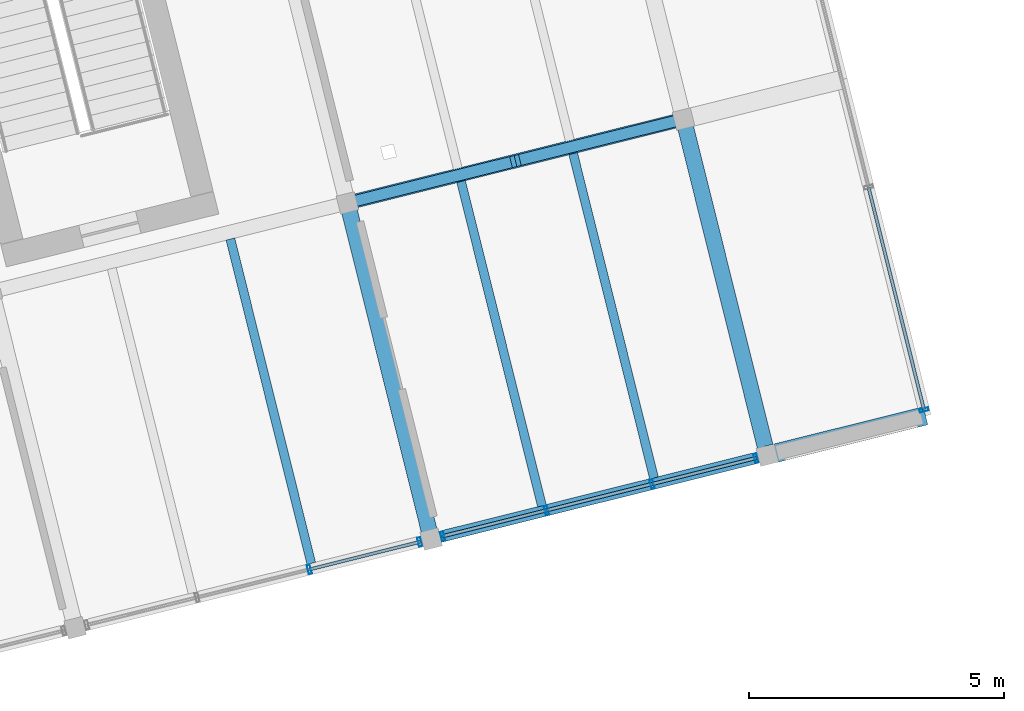
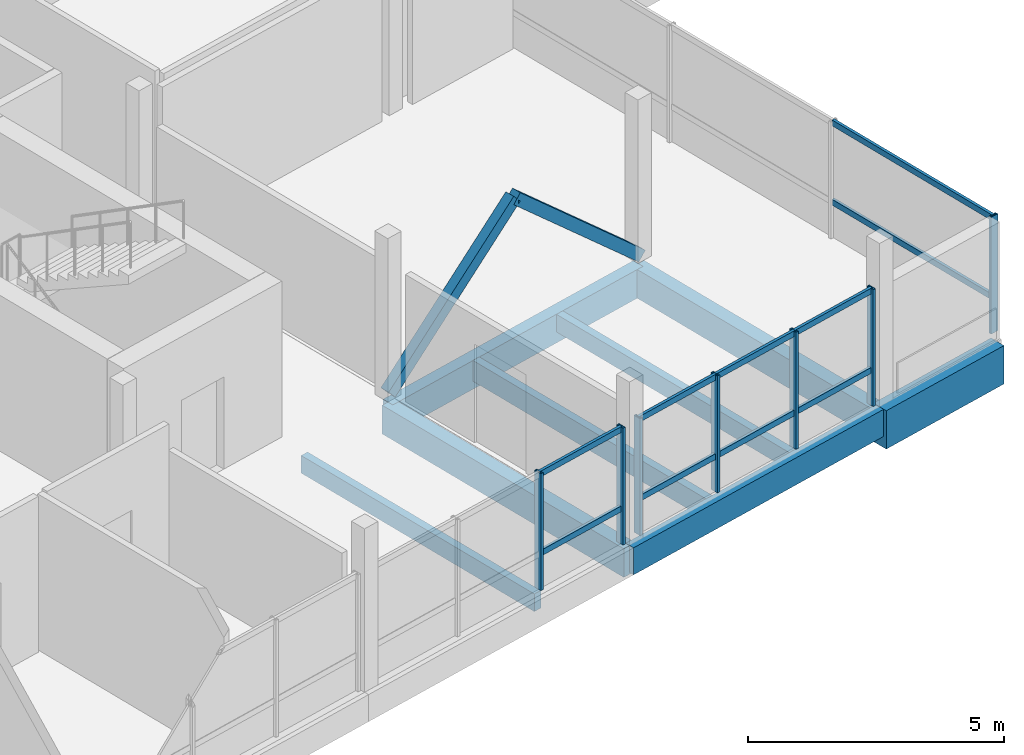
# One storey, part 11 of 28: 19 members, 8 beams, 3 elements without a shape of their own.
"""IFC4 building model written with IfcOpenShell, lengths in metres."""

from ifc_helpers import new_model, si_unit, direction, frame, origin, origin_2d, place, context, subcontext, project, spatial, rectangle, hollow_rectangle, extrude, material, layer, layer_set, material_profile, profile_set, type_object, element, aggregate, save


model = new_model("IFC4")

# Units and contexts
model_context = context("Model", 3, precision=1e-05, world=origin(), true_north=direction((0.0, 1.0)))
body_context = subcontext(model_context, "Body", "Model", "MODEL_VIEW")
ifc_project = project(units=[si_unit("LENGTHUNIT", "METRE"), si_unit("AREAUNIT", "SQUARE_METRE"), si_unit("VOLUMEUNIT", "CUBIC_METRE"), si_unit("PLANEANGLEUNIT", "RADIAN"), si_unit("MASSUNIT", "GRAM", prefix="KILO")], contexts=[model_context])

# Site, building, storey
site_placement = place(None, origin())
site = spatial("IfcSite", under=ifc_project, at=site_placement, CompositionType="ELEMENT")
building_placement = place(site_placement, origin())
building = spatial("IfcBuilding", under=site, at=building_placement, Name="Meriwether Solvik Hall", CompositionType="ELEMENT")
storey_placement = place(building_placement, frame((0.0, 0.0, 37.800048828125)))
storey = spatial("IfcBuildingStorey", under=building, at=storey_placement, Name="L09", CompositionType="ELEMENT", Elevation=37.800048828125)

# Beams
ifc_material_1 = material(Name="Glulam Douglas-Fir 24F-V8 GL28h", Category="wood")
ifc_material_profile_1 = material_profile(ifc_material_1, rectangle(XDim=0.221923828125, YDim=0.64501953125, at=origin_2d()), Name="GLB-222X645")
ifc_profile_set_1 = profile_set([ifc_material_profile_1], Name="Glulam Douglas-Fir 24F-V8 GL28h")
beam_type_1 = type_object("IfcBeamType", Name="BM-GL-222X645", PredefinedType="SPANDREL", material=ifc_profile_set_1)
beam_1_placement = place(storey_placement, frame((96.9326171875, 48.26416015625, -0.50244140625), z_axis=(0.970298579828, 0.24191045034, 0.0), x_axis=(-0.24191045034, 0.970298579828, 0.0)))
element("IfcBeam", 1, at=beam_1_placement, inside=storey, type_object=beam_type_1, Name="Tower Girder TA:T5-T6 (L09)", PredefinedType="SPANDREL", context=body_context, shape_type="SweptSolid", body=[
    extrude(rectangle(XDim=0.221923828125, YDim=0.64501953125, at=origin_2d()), origin(), (0.0, 0.0, 1.0), 6.800048828125),
])
ifc_material_2 = material(Name="Glulam Douglas-Fir 24F-V8 GL28h", Category="wood")
ifc_material_profile_2 = material_profile(ifc_material_2, rectangle(XDim=0.27294921875, YDim=0.68505859375, at=origin_2d()), Name="GLB-273X685")
ifc_profile_set_2 = profile_set([ifc_material_profile_2], Name="Glulam Douglas-Fir 24F-V8 GL28h")
beam_type_2 = type_object("IfcBeamType", Name="BM-GL-273X685", PredefinedType="BEAM", material=ifc_profile_set_2)
beam_2_placement = place(storey_placement, frame((95.28759765625, 54.862060546875, -0.5224609375), z_axis=(0.970296478685, 0.241918877831, 0.0), x_axis=(-0.241918877831, 0.970296478685, 0.0)))
element("IfcBeam", 2, at=beam_2_placement, inside=storey, type_object=beam_type_2, Name="Tower Girder TB:T5-T6 (L09)", PredefinedType="BEAM", context=body_context, shape_type="SweptSolid", body=[
    extrude(rectangle(XDim=0.27294921875, YDim=0.68505859375, at=origin_2d()), origin(), (0.0, 0.0, 1.0), 6.7998046875),
])
ifc_material_3 = material(Name="Glulam Douglas-Fir 24F-V8 GL28h", Category="wood")
ifc_material_profile_3 = material_profile(ifc_material_3, rectangle(XDim=0.31494140625, YDim=0.68505859375, at=origin_2d()), Name="GLB-315X685")
ifc_profile_set_3 = profile_set([ifc_material_profile_3], Name="Glulam Douglas-Fir 24F-V8 GL28h")
beam_type_3 = type_object("IfcBeamType", Name="BM-GL-315X685", PredefinedType="BEAM", material=ifc_profile_set_3)
beam_3_placement = place(storey_placement, frame((96.9326171875, 48.26416015625, -0.5224609375), z_axis=(-0.241918877831, 0.970296478685, 0.0), x_axis=(-0.970296478685, -0.241918877831, 0.0)))
element("IfcBeam", 3, at=beam_3_placement, inside=storey, type_object=beam_type_3, Name="Tower Girder T5:TA-TB (L09)", PredefinedType="BEAM", context=body_context, shape_type="SweptSolid", body=[
    extrude(rectangle(XDim=0.31494140625, YDim=0.68505859375, at=origin_2d()), origin(), (0.0, 0.0, 1.0), 6.7998046875),
])
beam_4_placement = place(storey_placement, frame((103.53076171875, 49.9091796875, -0.5224609375), z_axis=(-0.2419526798, 0.970288050394, 0.0), x_axis=(-0.970288050394, -0.2419526798, 0.0)))
element("IfcBeam", 4, at=beam_4_placement, inside=storey, type_object=beam_type_3, Name="Tower Girder T6:TA-TB (L09)", PredefinedType="BEAM", context=body_context, shape_type="SweptSolid", body=[
    extrude(rectangle(XDim=0.31494140625, YDim=0.68505859375, at=origin_2d()), origin(), (0.0, 0.0, 1.0), 6.800048828125),
])

# Curtain wall, members
ifc_material_4 = material(Name="Thermally Broken Anodised Aluminium 6063-T6 and Low-E Glass", Category="aluminium")
ifc_layer_1 = layer(ifc_material_4, 0.179931640625)
ifc_layer_set_1 = layer_set([ifc_layer_1], Name="Thermally Broken Anodised Aluminium 6063-T6 and Low-E Glass")
curtain_wall_type_1 = type_object("IfcCurtainWallType", Name="CW-UNIT-C", PredefinedType="USERDEFINED", material=ifc_layer_set_1)
curtain_wall_1_placement = place(storey_placement, origin())
curtain_wall_1 = element("IfcCurtainWall", 5, at=curtain_wall_1_placement, inside=storey, type_object=curtain_wall_type_1, Name="Curtain Wall E0_B3 (L09)", ObjectType="UNITISED CURTAIN WALL", PredefinedType="USERDEFINED")
ifc_material_5 = material(Name="Anodised Aluminium 6063-T6", Category="aluminium")
ifc_material_profile_4 = material_profile(ifc_material_5, hollow_rectangle(XDim=0.06494140625, YDim=0.179931640625, WallThickness=0.00439453125, at=origin_2d()), Name="CWM-65X180")
ifc_profile_set_4 = profile_set([ifc_material_profile_4], Name="Anodised Aluminium 6063-T6")
member_type_1 = type_object("IfcMemberType", Name="CW-MUL-65X180", PredefinedType="MULLION", material=ifc_profile_set_4)
member_1_placement = place(storey_placement, frame((96.70703125, 48.207763671875, 0.0), z_axis=(0.0, 0.0, 1.0), x_axis=(-0.97029573429, -0.241921863457, 0.0)))
member_1 = element("IfcMember", 6, at=member_1_placement, type_object=member_type_1, Name="Curtain Wall Mullion 1", PredefinedType="MULLION", context=body_context, shape_type="SweptSolid", body=[
    extrude(hollow_rectangle(XDim=0.06494140625, YDim=0.179931640625, WallThickness=0.00439453125, at=origin_2d()), origin(), (0.0, 0.0, 1.0), 2.7900390625),
])
member_2_placement = place(storey_placement, frame((94.541015625, 47.667724609375, 0.0), z_axis=(0.0, 0.0, 1.0), x_axis=(-0.97029573429, -0.241921863457, 0.0)))
member_2 = element("IfcMember", 7, at=member_2_placement, type_object=member_type_1, Name="Curtain Wall Mullion 2", PredefinedType="MULLION", context=body_context, shape_type="SweptSolid", body=[
    extrude(hollow_rectangle(XDim=0.06494140625, YDim=0.179931640625, WallThickness=0.00439453125, at=origin_2d()), origin(), (0.0, 0.0, 1.0), 2.7900390625),
])

ifc_material_6 = material(Name="Thermally Broken Anodised Aluminium 6063-T6 and Low-E Glass", Category="aluminium")
ifc_layer_2 = layer(ifc_material_6, 0.179931640625)
ifc_layer_set_2 = layer_set([ifc_layer_2], Name="Thermally Broken Anodised Aluminium 6063-T6 and Low-E Glass")
curtain_wall_type_2 = type_object("IfcCurtainWallType", Name="CW-UNIT-D", PredefinedType="USERDEFINED", material=ifc_layer_set_2)
curtain_wall_2_placement = place(storey_placement, origin())
curtain_wall_2 = element("IfcCurtainWall", 8, at=curtain_wall_2_placement, inside=storey, type_object=curtain_wall_type_2, Name="Curtain Wall E0_B4 (L09)", ObjectType="UNITISED CURTAIN WALL", PredefinedType="USERDEFINED")
member_3_placement = place(storey_placement, frame((103.304931640625, 49.85302734375, 0.0), z_axis=(0.0, 0.0, 1.0), x_axis=(-0.970295737161, -0.241921851942, 0.0)))
member_3 = element("IfcMember", 9, at=member_3_placement, type_object=member_type_1, Name="Curtain Wall Mullion 1", PredefinedType="MULLION", context=body_context, shape_type="SweptSolid", body=[
    extrude(hollow_rectangle(XDim=0.06494140625, YDim=0.179931640625, WallThickness=0.00439453125, at=origin_2d()), origin(), (0.0, 0.0, 1.0), 2.7900390625),
])
member_4_placement = place(storey_placement, frame((101.268310546875, 49.34521484375, 0.0), z_axis=(0.0, 0.0, 1.0), x_axis=(-0.970295737161, -0.241921851942, 0.0)))
member_4 = element("IfcMember", 10, at=member_4_placement, type_object=member_type_1, Name="Curtain Wall Mullion 2", PredefinedType="MULLION", context=body_context, shape_type="SweptSolid", body=[
    extrude(hollow_rectangle(XDim=0.06494140625, YDim=0.179931640625, WallThickness=0.00439453125, at=origin_2d()), origin(), (0.0, 0.0, 1.0), 2.7900390625),
])
member_5_placement = place(storey_placement, frame((99.19482421875, 48.828125, 0.0), z_axis=(0.0, 0.0, 1.0), x_axis=(-0.970295737161, -0.241921851942, 0.0)))
member_5 = element("IfcMember", 11, at=member_5_placement, type_object=member_type_1, Name="Curtain Wall Mullion 3", PredefinedType="MULLION", context=body_context, shape_type="SweptSolid", body=[
    extrude(hollow_rectangle(XDim=0.06494140625, YDim=0.179931640625, WallThickness=0.00439453125, at=origin_2d()), origin(), (0.0, 0.0, 1.0), 2.7900390625),
])
member_6_placement = place(storey_placement, frame((97.158203125, 48.3203125, 0.0), z_axis=(0.0, 0.0, 1.0), x_axis=(-0.970295737161, -0.241921851942, 0.0)))
member_6 = element("IfcMember", 12, at=member_6_placement, type_object=member_type_1, Name="Curtain Wall Mullion 4", PredefinedType="MULLION", context=body_context, shape_type="SweptSolid", body=[
    extrude(hollow_rectangle(XDim=0.06494140625, YDim=0.179931640625, WallThickness=0.00439453125, at=origin_2d()), origin(), (0.0, 0.0, 1.0), 2.7900390625),
])

# Curtain wall, member
ifc_material_7 = material(Name="Thermally Broken Anodised Aluminium 6063-T6 and Low-E Glass", Category="aluminium")
ifc_layer_3 = layer(ifc_material_7, 0.179931640625)
ifc_layer_set_3 = layer_set([ifc_layer_3], Name="Thermally Broken Anodised Aluminium 6063-T6 and Low-E Glass")
curtain_wall_type_3 = type_object("IfcCurtainWallType", Name="CW-UNIT-A", PredefinedType="USERDEFINED", material=ifc_layer_set_3)
curtain_wall_3_placement = place(storey_placement, origin())
curtain_wall_3 = element("IfcCurtainWall", 13, at=curtain_wall_3_placement, inside=storey, type_object=curtain_wall_type_3, Name="Curtain Wall E1_B0 (L09)", ObjectType="UNITISED CURTAIN WALL", PredefinedType="USERDEFINED")
member_7_placement = place(storey_placement, frame((106.60693359375, 50.7978515625, 0.0), z_axis=(0.0, 0.0, 1.0), x_axis=(0.241921914296, -0.970295721615, 0.0)))
member_7 = element("IfcMember", 14, at=member_7_placement, type_object=member_type_1, Name="Curtain Wall Mullion 4", PredefinedType="MULLION", context=body_context, shape_type="SweptSolid", body=[
    extrude(hollow_rectangle(XDim=0.06494140625, YDim=0.179931640625, WallThickness=0.00439453125, at=origin_2d()), origin(), (0.0, 0.0, 1.0), 2.7900390625),
])

# Member
ifc_material_8 = material(Name="Anodised Aluminium 6063-T6", Category="aluminium")
ifc_material_profile_5 = material_profile(ifc_material_8, hollow_rectangle(XDim=0.06494140625, YDim=0.139892578125, WallThickness=0.00439453125, at=origin_2d()), Name="CWT-65X140")
ifc_profile_set_5 = profile_set([ifc_material_profile_5], Name="Anodised Aluminium 6063-T6")
member_type_2 = type_object("IfcMemberType", Name="CW-TRN-65X140", PredefinedType="USERDEFINED", material=ifc_profile_set_5)
member_8_placement = place(storey_placement, frame((96.70703125, 48.207763671875, 0.8369140625), z_axis=(-0.970296702868, -0.241917978668, 0.0), x_axis=(0.241917978668, -0.970296702868, 0.0)))
member_8 = element("IfcMember", 15, at=member_8_placement, type_object=member_type_2, Name="Curtain Wall Transom 1-sill", ObjectType="TRANSOM", PredefinedType="USERDEFINED", context=body_context, shape_type="SweptSolid", body=[
    extrude(hollow_rectangle(XDim=0.06494140625, YDim=0.139892578125, WallThickness=0.00439453125, at=origin_2d()), origin(), (0.0, 0.0, 1.0), 2.232421875),
])

member_9_placement = place(storey_placement, frame((96.70703125, 48.207763671875, 2.72998046875), z_axis=(-0.970296702868, -0.241917978668, 0.0), x_axis=(0.241917978668, -0.970296702868, 0.0)))
member_9 = element("IfcMember", 16, at=member_9_placement, type_object=member_type_2, Name="Curtain Wall Transom 1-head", ObjectType="TRANSOM", PredefinedType="USERDEFINED", context=body_context, shape_type="SweptSolid", body=[
    extrude(hollow_rectangle(XDim=0.06494140625, YDim=0.139892578125, WallThickness=0.00439453125, at=origin_2d()), origin(), (0.0, 0.0, 1.0), 2.232421875),
])

aggregate(curtain_wall_1, [member_1, member_2, member_8, member_9])

member_10_placement = place(storey_placement, frame((103.304931640625, 49.85302734375, 0.8369140625), z_axis=(-0.970292837531, -0.241933481427, 0.0), x_axis=(0.241933481427, -0.970292837531, 0.0)))
member_10 = element("IfcMember", 17, at=member_10_placement, type_object=member_type_2, Name="Curtain Wall Transom 1-sill", ObjectType="TRANSOM", PredefinedType="USERDEFINED", context=body_context, shape_type="SweptSolid", body=[
    extrude(hollow_rectangle(XDim=0.06494140625, YDim=0.139892578125, WallThickness=0.00439453125, at=origin_2d()), origin(), (0.0, 0.0, 1.0), 2.098876953125),
])

member_11_placement = place(storey_placement, frame((103.304931640625, 49.85302734375, 2.72998046875), z_axis=(-0.970292837531, -0.241933481427, 0.0), x_axis=(0.241933481427, -0.970292837531, 0.0)))
member_11 = element("IfcMember", 18, at=member_11_placement, type_object=member_type_2, Name="Curtain Wall Transom 1-head", ObjectType="TRANSOM", PredefinedType="USERDEFINED", context=body_context, shape_type="SweptSolid", body=[
    extrude(hollow_rectangle(XDim=0.06494140625, YDim=0.139892578125, WallThickness=0.00439453125, at=origin_2d()), origin(), (0.0, 0.0, 1.0), 2.098876953125),
])

member_12_placement = place(storey_placement, frame((101.268310546875, 49.34521484375, 0.8369140625), z_axis=(-0.970283462184, -0.241971078877, 0.0), x_axis=(0.241971078877, -0.970283462184, 0.0)))
member_12 = element("IfcMember", 19, at=member_12_placement, type_object=member_type_2, Name="Curtain Wall Transom 2-sill", ObjectType="TRANSOM", PredefinedType="USERDEFINED", context=body_context, shape_type="SweptSolid", body=[
    extrude(hollow_rectangle(XDim=0.06494140625, YDim=0.139892578125, WallThickness=0.00439453125, at=origin_2d()), origin(), (0.0, 0.0, 1.0), 2.136962890625),
])

member_13_placement = place(storey_placement, frame((101.268310546875, 49.34521484375, 2.72998046875), z_axis=(-0.970283462184, -0.241971078877, 0.0), x_axis=(0.241971078877, -0.970283462184, 0.0)))
member_13 = element("IfcMember", 20, at=member_13_placement, type_object=member_type_2, Name="Curtain Wall Transom 2-head", ObjectType="TRANSOM", PredefinedType="USERDEFINED", context=body_context, shape_type="SweptSolid", body=[
    extrude(hollow_rectangle(XDim=0.06494140625, YDim=0.139892578125, WallThickness=0.00439453125, at=origin_2d()), origin(), (0.0, 0.0, 1.0), 2.136962890625),
])

member_14_placement = place(storey_placement, frame((99.19482421875, 48.828125, 0.8369140625), z_axis=(-0.970292837531, -0.241933481427, 0.0), x_axis=(0.241933481427, -0.970292837531, 0.0)))
member_14 = element("IfcMember", 21, at=member_14_placement, type_object=member_type_2, Name="Curtain Wall Transom 3-sill", ObjectType="TRANSOM", PredefinedType="USERDEFINED", context=body_context, shape_type="SweptSolid", body=[
    extrude(hollow_rectangle(XDim=0.06494140625, YDim=0.139892578125, WallThickness=0.00439453125, at=origin_2d()), origin(), (0.0, 0.0, 1.0), 2.098876953125),
])

member_15_placement = place(storey_placement, frame((99.19482421875, 48.828125, 2.72998046875), z_axis=(-0.970292837531, -0.241933481427, 0.0), x_axis=(0.241933481427, -0.970292837531, 0.0)))
member_15 = element("IfcMember", 22, at=member_15_placement, type_object=member_type_2, Name="Curtain Wall Transom 3-head", ObjectType="TRANSOM", PredefinedType="USERDEFINED", context=body_context, shape_type="SweptSolid", body=[
    extrude(hollow_rectangle(XDim=0.06494140625, YDim=0.139892578125, WallThickness=0.00439453125, at=origin_2d()), origin(), (0.0, 0.0, 1.0), 2.098876953125),
])

aggregate(curtain_wall_2, [member_3, member_4, member_5, member_6, member_10, member_11, member_12, member_13, member_14, member_15])

member_16_placement = place(storey_placement, frame((105.516357421875, 55.172607421875, 0.8369140625), z_axis=(0.24188577674, -0.970304731005, 0.0), x_axis=(0.970304731005, 0.24188577674, 0.0)))
member_16 = element("IfcMember", 23, at=member_16_placement, type_object=member_type_2, Name="Curtain Wall Transom 3-sill", ObjectType="TRANSOM", PredefinedType="USERDEFINED", context=body_context, shape_type="SweptSolid", body=[
    extrude(hollow_rectangle(XDim=0.06494140625, YDim=0.139892578125, WallThickness=0.00439453125, at=origin_2d()), origin(), (0.0, 0.0, 1.0), 4.508544921875),
])

member_17_placement = place(storey_placement, frame((105.516357421875, 55.172607421875, 2.72998046875), z_axis=(0.24188577674, -0.970304731005, 0.0), x_axis=(0.970304731005, 0.24188577674, 0.0)))
member_17 = element("IfcMember", 24, at=member_17_placement, type_object=member_type_2, Name="Curtain Wall Transom 3-head", ObjectType="TRANSOM", PredefinedType="USERDEFINED", context=body_context, shape_type="SweptSolid", body=[
    extrude(hollow_rectangle(XDim=0.06494140625, YDim=0.139892578125, WallThickness=0.00439453125, at=origin_2d()), origin(), (0.0, 0.0, 1.0), 4.508544921875),
])

aggregate(curtain_wall_3, [member_7, member_16, member_17])

# Beams
ifc_material_9 = material(Name="Glulam Douglas-Fir 24F-V8 GL28h", Category="wood")
ifc_material_profile_6 = material_profile(ifc_material_9, rectangle(XDim=0.364990234375, YDim=0.9150390625, at=origin_2d()), Name="GLB-365X915")
ifc_profile_set_6 = profile_set([ifc_material_profile_6], Name="Glulam Douglas-Fir 24F-V8 GL28h")
beam_type_4 = type_object("IfcBeamType", Name="GL-CANT-365X915", PredefinedType="BEAM", material=ifc_profile_set_6)
beam_5_placement = place(storey_placement, frame((103.53076171875, 49.9091796875, -0.637451171875), z_axis=(0.970290428474, 0.241943142934, 0.0), x_axis=(-0.241943142934, 0.970290428474, 0.0)))
element("IfcBeam", 25, at=beam_5_placement, inside=storey, type_object=beam_type_4, Name="Shard Cantilever Girder TA (L09)", PredefinedType="BEAM", context=body_context, shape_type="SweptSolid", body=[
    extrude(rectangle(XDim=0.364990234375, YDim=0.9150390625, at=origin_2d()), origin(), (0.0, 0.0, 1.0), 3.19970703125),
])
ifc_material_10 = material(Name="Glulam Douglas-Fir 24F-V8 GL28h", Category="wood")
ifc_material_profile_7 = material_profile(ifc_material_10, rectangle(XDim=0.175048828125, YDim=0.419921875, at=origin_2d()), Name="GLJ-175X420")
ifc_profile_set_7 = profile_set([ifc_material_profile_7], Name="Glulam Douglas-Fir 24F-V8 GL28h")
beam_type_5 = type_object("IfcBeamType", Name="JST-GL-175X420", PredefinedType="JOIST", material=ifc_profile_set_7)
for number, where, z_axis, x_axis, name in (
    (26, (94.578369140625, 47.786376953125, -0.39013671875), (-0.241931575219, 0.970293312824, 0.0), (-0.970293312824, -0.241931575219, 0.0), "Glulam Floor Joist T4/TA-J2 (L09)"),
    (27, (101.3056640625, 49.463623046875, -0.39013671875), (-0.241922842305, 0.970295490235, 0.0), (-0.970295490235, -0.241922842305, 0.0), "Glulam Floor Joist T5/TA-J2 (L09)"),
):
    element("IfcBeam", number, at=place(storey_placement, frame(where, z_axis=z_axis, x_axis=x_axis)), inside=storey, type_object=beam_type_5, Name=name, PredefinedType="JOIST", context=body_context, shape_type="SweptSolid", body=[
        extrude(rectangle(XDim=0.175048828125, YDim=0.419921875, at=origin_2d()), origin(), (0.0, 0.0, 1.0), 6.5625),
    ])
ifc_material_11 = material(Name="Glulam Douglas-Fir 24F-V8 GL28h", Category="wood")
ifc_material_profile_8 = material_profile(ifc_material_11, rectangle(XDim=0.175048828125, YDim=0.4951171875, at=origin_2d()), Name="GLJ-175X495")
ifc_profile_set_8 = profile_set([ifc_material_profile_8], Name="Glulam Douglas-Fir 24F-V8 GL28h")
beam_type_6 = type_object("IfcBeamType", Name="JST-GL-175X495", PredefinedType="JOIST", material=ifc_profile_set_8)
beam_6_placement = place(storey_placement, frame((99.1064453125, 48.915283203125, -0.427490234375), z_axis=(-0.241922842305, 0.970295490235, 0.0), x_axis=(-0.970295490235, -0.241922842305, 0.0)))
element("IfcBeam", 28, at=beam_6_placement, inside=storey, type_object=beam_type_6, Name="Glulam Floor Joist T5/TA-J1 (L09)", PredefinedType="JOIST", context=body_context, shape_type="SweptSolid", body=[
    extrude(rectangle(XDim=0.175048828125, YDim=0.4951171875, at=origin_2d()), origin(), (0.0, 0.0, 1.0), 6.5625),
])

# Members
ifc_material_12 = material(Name="Glulam Douglas-Fir 24F-V8 GL28h", Category="wood")
ifc_material_profile_9 = material_profile(ifc_material_12, rectangle(XDim=0.221923828125, YDim=0.26708984375, at=origin_2d()), Name="GLM-222X267")
ifc_profile_set_9 = profile_set([ifc_material_profile_9], Name="Glulam Douglas-Fir 24F-V8 GL28h")
member_type_3 = type_object("IfcMemberType", Name="MEM-BR-GL222", PredefinedType="BRACE", material=ifc_profile_set_9)
for number, where, z_axis, x_axis, name in (
    (29, (95.28759765625, 54.862060546875, 0.050048828125), (0.724931924359, 0.180736746331, 0.664686342248), (-0.24191045034, 0.970298579828, 0.0), "Tower Chevron Brace L09-B3A"),
    (30, (101.885498046875, 56.507080078125, 0.050048828125), (-0.724906468782, -0.180743775409, 0.664712192733), (0.241927305891, -0.970294377323, 0.0), "Tower Chevron Brace L09-B3B"),
):
    element("IfcMember", number, at=place(storey_placement, frame(where, z_axis=z_axis, x_axis=x_axis)), inside=storey, type_object=member_type_3, Name=name, PredefinedType="BRACE", context=body_context, shape_type="SweptSolid", body=[
        extrude(rectangle(XDim=0.221923828125, YDim=0.26708984375, at=origin_2d()), origin(), (0.0, 0.0, 1.0), 4.55078125),
    ])

save(model, "model.ifc")
